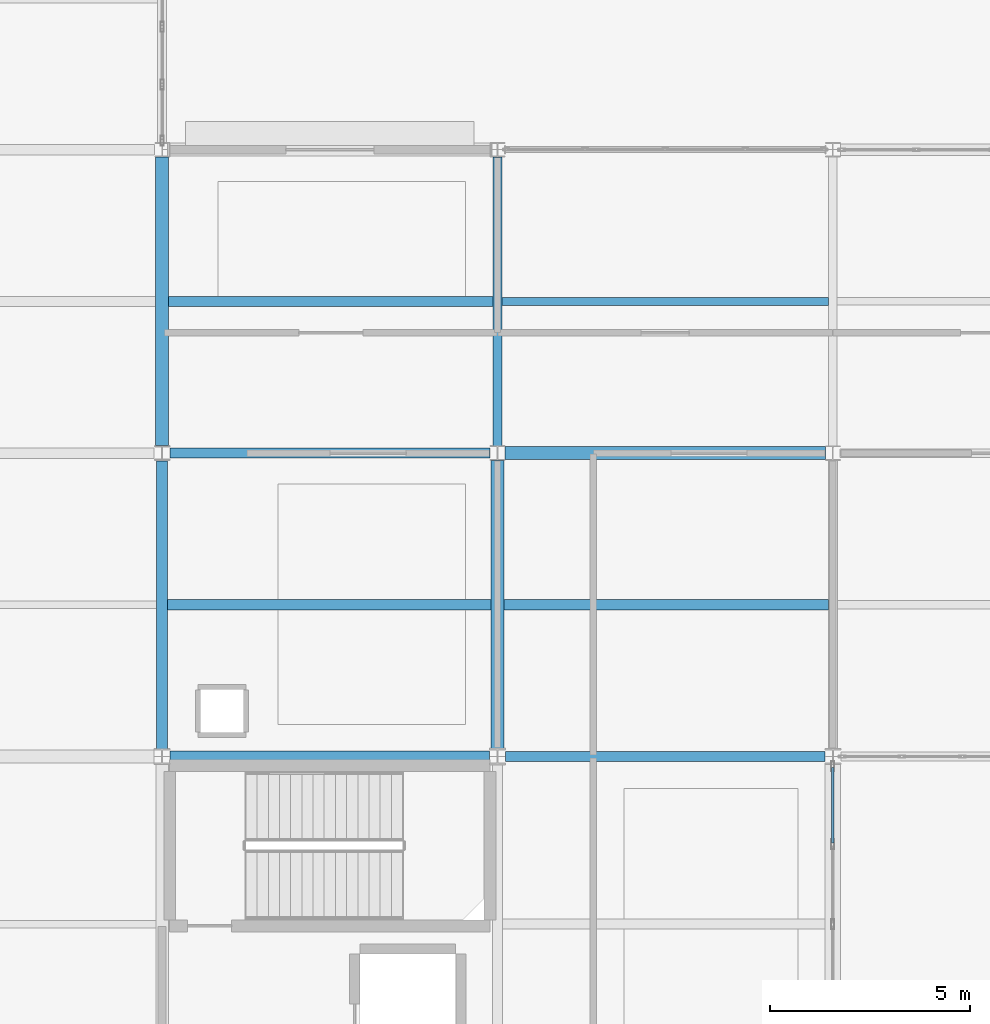
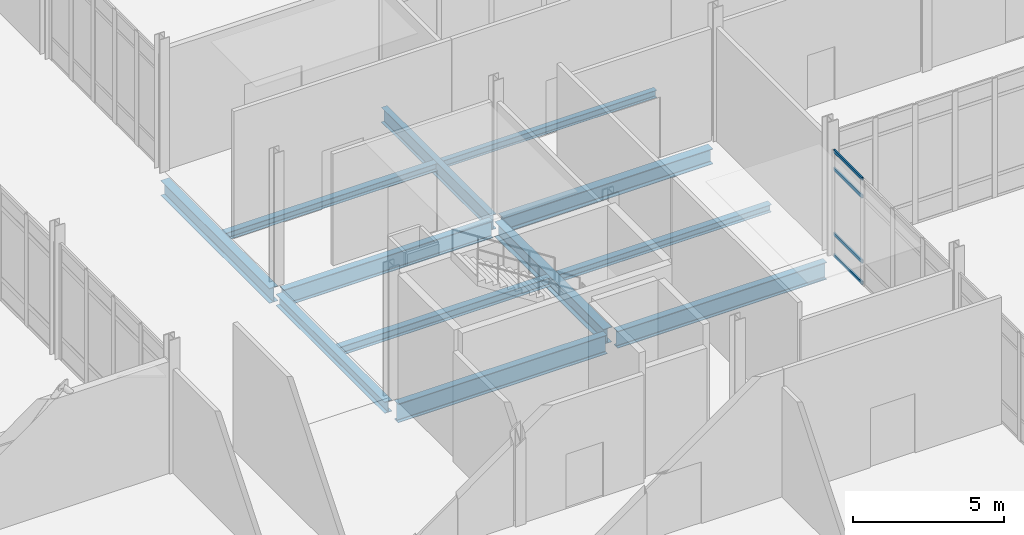
# One storey, part 55 of 229: 12 beams, 4 members, 1 element without a shape of its own.
"""IFC4 building model written with IfcOpenShell, lengths in metres."""

from ifc_helpers import new_model, si_unit, direction, frame, origin, origin_2d, place, context, subcontext, project, spatial, hollow_rectangle, i_section, extrude, material, layer, layer_set, material_profile, profile_set, type_object, element, aggregate, save


model = new_model("IFC4")

# Units and contexts
model_context = context("Model", 3, precision=1e-05, world=origin(), true_north=direction((0.0, 1.0)))
body_context = subcontext(model_context, "Body", "Model", "MODEL_VIEW")
ifc_project = project(units=[si_unit("LENGTHUNIT", "METRE"), si_unit("AREAUNIT", "SQUARE_METRE"), si_unit("VOLUMEUNIT", "CUBIC_METRE"), si_unit("PLANEANGLEUNIT", "RADIAN"), si_unit("MASSUNIT", "GRAM", prefix="KILO")], contexts=[model_context])

# Site, building, storey
site_placement = place(None, origin())
site = spatial("IfcSite", under=ifc_project, at=site_placement, CompositionType="ELEMENT")
building_placement = place(site_placement, origin())
building = spatial("IfcBuilding", under=site, at=building_placement, Name="Calvrana Isthmian Art Gallery", CompositionType="ELEMENT")
storey_placement = place(building_placement, origin())
storey = spatial("IfcBuildingStorey", under=building, at=storey_placement, Name="L00", CompositionType="ELEMENT", Elevation=0.0)

# Beams
ifc_material_1 = material(Name="Steel ASTM A992 Gr 50", Category="steel")
ifc_material_profile_1 = material_profile(ifc_material_1, i_section(OverallWidth=0.279052734375, OverallDepth=0.4619140625, WebThickness=0.0107421875, FlangeThickness=0.017333984375, FilletRadius=0.02001953125, at=origin_2d()), Name="W18X76")
ifc_profile_set_1 = profile_set([ifc_material_profile_1], Name="Steel ASTM A992 Gr 50")
beam_type_1 = type_object("IfcBeamType", Name="BM-G-W18X76", PredefinedType="BEAM", material=ifc_profile_set_1)
beam_1_placement = place(storey_placement, frame((63.60009765625, 46.992919921875, -0.51611328125), z_axis=(0.0, 1.0, 0.0), x_axis=(-1.0, 0.0, 0.0)))
element("IfcBeam", 1, at=beam_1_placement, inside=storey, type_object=beam_type_1, Name="Girder Y L00 09/G-H", PredefinedType="BEAM", context=body_context, shape_type="SweptSolid", body=[
    extrude(i_section(OverallWidth=0.279052734375, OverallDepth=0.4619140625, WebThickness=0.0107421875, FlangeThickness=0.017333984375, FilletRadius=0.02001953125, at=origin_2d()), origin(), (0.0, 0.0, 1.0), 7.214111328125),
])
ifc_material_profile_2 = material_profile(ifc_material_1, i_section(OverallWidth=0.324951171875, OverallDepth=0.612060546875, WebThickness=0.0126953125, FlangeThickness=0.01904296875, FilletRadius=0.02197265625, at=origin_2d()), Name="W24X104")
ifc_profile_set_2 = profile_set([ifc_material_profile_2], Name="Steel ASTM A992 Gr 50")
beam_type_2 = type_object("IfcBeamType", Name="BM-G-W24X104", PredefinedType="BEAM", material=ifc_profile_set_2)
beam_2_placement = place(storey_placement, frame((63.60009765625, 54.593017578125, -0.591064453125), z_axis=(0.0, 1.0, 0.0), x_axis=(-1.0, 0.0, 0.0)))
element("IfcBeam", 2, at=beam_2_placement, inside=storey, type_object=beam_type_2, Name="Girder Y L00 09/H-I", PredefinedType="BEAM", context=body_context, shape_type="SweptSolid", body=[
    extrude(i_section(OverallWidth=0.324951171875, OverallDepth=0.612060546875, WebThickness=0.0126953125, FlangeThickness=0.01904296875, FilletRadius=0.02197265625, at=origin_2d()), origin(), (0.0, 0.0, 1.0), 7.220458984375),
])
beam_3_placement = place(storey_placement, frame((72.0, 47.0029296875, -0.591064453125), z_axis=(0.0, 1.0, 0.0), x_axis=(-1.0, 0.0, 0.0)))
element("IfcBeam", 3, at=beam_3_placement, inside=storey, type_object=beam_type_2, Name="Girder Y L00 10/G-H", PredefinedType="BEAM", context=body_context, shape_type="SweptSolid", body=[
    extrude(i_section(OverallWidth=0.324951171875, OverallDepth=0.612060546875, WebThickness=0.0126953125, FlangeThickness=0.01904296875, FilletRadius=0.02197265625, at=origin_2d()), origin(), (0.0, 0.0, 1.0), 7.213134765625),
])
ifc_material_profile_3 = material_profile(ifc_material_1, i_section(OverallWidth=0.327880859375, OverallDepth=0.6220703125, WebThickness=0.015380859375, FlangeThickness=0.0244140625, FilletRadius=0.02197265625, at=origin_2d()), Name="W24X131")
ifc_profile_set_3 = profile_set([ifc_material_profile_3], Name="Steel ASTM A992 Gr 50")
beam_type_3 = type_object("IfcBeamType", Name="BM-G-W24X131", PredefinedType="BEAM", material=ifc_profile_set_3)
beam_4_placement = place(storey_placement, frame((72.1865234375, 54.39990234375, -0.595947265625), z_axis=(1.0, 0.0, 0.0), x_axis=(0.0, 1.0, 0.0)))
element("IfcBeam", 4, at=beam_4_placement, inside=storey, type_object=beam_type_3, Name="Girder X L00 10-11/H", PredefinedType="BEAM", context=body_context, shape_type="SweptSolid", body=[
    extrude(i_section(OverallWidth=0.327880859375, OverallDepth=0.6220703125, WebThickness=0.015380859375, FlangeThickness=0.0244140625, FilletRadius=0.02197265625, at=origin_2d()), origin(), (0.0, 0.0, 1.0), 8.028076171875),
])
ifc_material_profile_4 = material_profile(ifc_material_1, i_section(OverallWidth=0.22802734375, OverallDepth=0.60693359375, WebThickness=0.01123046875, FlangeThickness=0.017333984375, FilletRadius=0.02197265625, at=origin_2d()), Name="W24X76")
ifc_profile_set_4 = profile_set([ifc_material_profile_4], Name="Steel ASTM A992 Gr 50")
beam_type_4 = type_object("IfcBeamType", Name="BM-G-W24X76", PredefinedType="BEAM", material=ifc_profile_set_4)
beam_5_placement = place(storey_placement, frame((72.0, 54.583984375, -0.58837890625), z_axis=(0.0, 1.0, 0.0), x_axis=(-1.0, 0.0, 0.0)))
element("IfcBeam", 5, at=beam_5_placement, inside=storey, type_object=beam_type_4, Name="Girder Y L00 10/H-I", PredefinedType="BEAM", context=body_context, shape_type="SweptSolid", body=[
    extrude(i_section(OverallWidth=0.22802734375, OverallDepth=0.60693359375, WebThickness=0.01123046875, FlangeThickness=0.017333984375, FilletRadius=0.02197265625, at=origin_2d()), origin(), (0.0, 0.0, 1.0), 7.2294921875),
])
ifc_material_profile_5 = material_profile(ifc_material_1, i_section(OverallWidth=0.257080078125, OverallDepth=0.693115234375, WebThickness=0.014404296875, FlangeThickness=0.023681640625, FilletRadius=0.02392578125, at=origin_2d()), Name="W27X114")
ifc_profile_set_5 = profile_set([ifc_material_profile_5], Name="Steel ASTM A992 Gr 50")
beam_type_5 = type_object("IfcBeamType", Name="BM-G-W27X114", PredefinedType="BEAM", material=ifc_profile_set_5)
beam_6_placement = place(storey_placement, frame((72.201904296875, 46.800048828125, -0.631591796875), z_axis=(1.0, 0.0, 0.0), x_axis=(0.0, 1.0, 0.0)))
element("IfcBeam", 6, at=beam_6_placement, inside=storey, type_object=beam_type_5, Name="Girder X L00 10-11/G", PredefinedType="BEAM", context=body_context, shape_type="SweptSolid", body=[
    extrude(i_section(OverallWidth=0.257080078125, OverallDepth=0.693115234375, WebThickness=0.014404296875, FlangeThickness=0.023681640625, FilletRadius=0.02392578125, at=origin_2d()), origin(), (0.0, 0.0, 1.0), 7.99853515625),
])
beam_7_placement = place(storey_placement, frame((63.799560546875, 54.39990234375, -0.631591796875), z_axis=(1.0, 0.0, 0.0), x_axis=(0.0, 1.0, 0.0)))
element("IfcBeam", 7, at=beam_7_placement, inside=storey, type_object=beam_type_5, Name="Girder X L00 09-10/H", PredefinedType="BEAM", context=body_context, shape_type="SweptSolid", body=[
    extrude(i_section(OverallWidth=0.257080078125, OverallDepth=0.693115234375, WebThickness=0.014404296875, FlangeThickness=0.023681640625, FilletRadius=0.02392578125, at=origin_2d()), origin(), (0.0, 0.0, 1.0), 8.013916015625),
])
ifc_material_profile_6 = material_profile(ifc_material_1, i_section(OverallWidth=0.26708984375, OverallDepth=0.761962890625, WebThickness=0.014404296875, FlangeThickness=0.021484375, FilletRadius=0.02490234375, at=origin_2d()), Name="W30X116")
ifc_profile_set_6 = profile_set([ifc_material_profile_6], Name="Steel ASTM A992 Gr 50")
beam_type_6 = type_object("IfcBeamType", Name="BM-G-W30X116", PredefinedType="BEAM", material=ifc_profile_set_6)
beam_8_placement = place(storey_placement, frame((63.799560546875, 46.800048828125, -0.666015625), z_axis=(1.0, 0.0, 0.0), x_axis=(0.0, 1.0, 0.0)))
element("IfcBeam", 8, at=beam_8_placement, inside=storey, type_object=beam_type_6, Name="Girder X L00 09-10/G", PredefinedType="BEAM", context=body_context, shape_type="SweptSolid", body=[
    extrude(i_section(OverallWidth=0.26708984375, OverallDepth=0.761962890625, WebThickness=0.014404296875, FlangeThickness=0.021484375, FilletRadius=0.02490234375, at=origin_2d()), origin(), (0.0, 0.0, 1.0), 7.99853515625),
])
ifc_material_profile_7 = material_profile(ifc_material_1, i_section(OverallWidth=0.202880859375, OverallDepth=0.302001953125, WebThickness=0.007568359375, FlangeThickness=0.01318359375, FilletRadius=0.01611328125, at=origin_2d()), Name="W12X40")
ifc_profile_set_7 = profile_set([ifc_material_profile_7], Name="Steel ASTM A992 Gr 50")
beam_type_7 = type_object("IfcBeamType", Name="BM-J-W12X40", PredefinedType="JOIST", material=ifc_profile_set_7)
beam_9_placement = place(storey_placement, frame((72.114013671875, 58.199951171875, -0.43603515625), z_axis=(1.0, 0.0, 0.0), x_axis=(0.0, 1.0, 0.0)))
element("IfcBeam", 9, at=beam_9_placement, inside=storey, type_object=beam_type_7, Name="Composite joist L00 bay 09-07", PredefinedType="JOIST", context=body_context, shape_type="SweptSolid", body=[
    extrude(i_section(OverallWidth=0.202880859375, OverallDepth=0.302001953125, WebThickness=0.007568359375, FlangeThickness=0.01318359375, FilletRadius=0.01611328125, at=origin_2d()), origin(), (0.0, 0.0, 1.0), 8.181396484375),
])
ifc_material_profile_8 = material_profile(ifc_material_1, i_section(OverallWidth=0.25390625, OverallDepth=0.306884765625, WebThickness=0.0087890625, FlangeThickness=0.0146484375, FilletRadius=0.01611328125, at=origin_2d()), Name="W12X53")
ifc_profile_set_8 = profile_set([ifc_material_profile_8], Name="Steel ASTM A992 Gr 50")
beam_type_8 = type_object("IfcBeamType", Name="BM-J-W12X53", PredefinedType="JOIST", material=ifc_profile_set_8)
beam_10_placement = place(storey_placement, frame((63.762451171875, 58.199951171875, -0.4384765625), z_axis=(1.0, 0.0, 0.0), x_axis=(0.0, 1.0, 0.0)))
element("IfcBeam", 10, at=beam_10_placement, inside=storey, type_object=beam_type_8, Name="Composite joist L00 bay 08-07", PredefinedType="JOIST", context=body_context, shape_type="SweptSolid", body=[
    extrude(i_section(OverallWidth=0.25390625, OverallDepth=0.306884765625, WebThickness=0.0087890625, FlangeThickness=0.0146484375, FilletRadius=0.01611328125, at=origin_2d()), origin(), (0.0, 0.0, 1.0), 8.12353515625),
])
beam_11_placement = place(storey_placement, frame((72.16259765625, 50.60009765625, -0.4384765625), z_axis=(1.0, 0.0, 0.0), x_axis=(0.0, 1.0, 0.0)))
element("IfcBeam", 11, at=beam_11_placement, inside=storey, type_object=beam_type_8, Name="Composite joist L00 bay 09-06", PredefinedType="JOIST", context=body_context, shape_type="SweptSolid", body=[
    extrude(i_section(OverallWidth=0.25390625, OverallDepth=0.306884765625, WebThickness=0.0087890625, FlangeThickness=0.0146484375, FilletRadius=0.01611328125, at=origin_2d()), origin(), (0.0, 0.0, 1.0), 8.123291015625),
])
ifc_material_profile_9 = material_profile(ifc_material_1, i_section(OverallWidth=0.25390625, OverallDepth=0.35302734375, WebThickness=0.009521484375, FlangeThickness=0.016357421875, FilletRadius=0.01806640625, at=origin_2d()), Name="W14X61")
ifc_profile_set_9 = profile_set([ifc_material_profile_9], Name="Steel ASTM A992 Gr 50")
beam_type_9 = type_object("IfcBeamType", Name="BM-J-W14X61", PredefinedType="JOIST", material=ifc_profile_set_9)
beam_12_placement = place(storey_placement, frame((63.739501953125, 50.60009765625, -0.46142578125), z_axis=(1.0, 0.0, 0.0), x_axis=(0.0, 1.0, 0.0)))
element("IfcBeam", 12, at=beam_12_placement, inside=storey, type_object=beam_type_9, Name="Composite joist L00 bay 08-06", PredefinedType="JOIST", context=body_context, shape_type="SweptSolid", body=[
    extrude(i_section(OverallWidth=0.25390625, OverallDepth=0.35302734375, WebThickness=0.009521484375, FlangeThickness=0.016357421875, FilletRadius=0.01806640625, at=origin_2d()), origin(), (0.0, 0.0, 1.0), 8.097900390625),
])

# Curtain wall, members
ifc_material_2 = material(Name="Anodized bronze aluminium 6063-T6", Category="aluminium")
ifc_layer = layer(ifc_material_2, 0.179931640625, Name="Anodized bronze aluminium 6063-T6")
ifc_layer_set = layer_set([ifc_layer], Name="Anodized bronze aluminium 6063-T6")
curtain_wall_type = type_object("IfcCurtainWallType", Name="CW-STICK-080X43", PredefinedType="NOTDEFINED", material=ifc_layer_set)
curtain_wall_placement = place(storey_placement, origin())
curtain_wall = element("IfcCurtainWall", 13, at=curtain_wall_placement, inside=storey, type_object=curtain_wall_type, Name="Curtain wall CW-071", PredefinedType="NOTDEFINED")
ifc_material_profile_10 = material_profile(ifc_material_2, hollow_rectangle(XDim=0.06005859375, YDim=0.1298828125, WallThickness=0.00390625, at=origin_2d()), Name="CWT60X130")
ifc_profile_set_10 = profile_set([ifc_material_profile_10], Name="Anodized bronze aluminium 6063-T6")
member_type = type_object("IfcMemberType", Name="CWT-CWT60X130", PredefinedType="USERDEFINED", material=ifc_profile_set_10)
member_1_placement = place(storey_placement, frame((80.39990234375, 46.5205078125, 0.030029296875), z_axis=(0.0, -1.0, 0.0), x_axis=(1.0, 0.0, 0.0)))
member_1 = element("IfcMember", 14, at=member_1_placement, type_object=member_type, Name="CW-071 transom 1.1", ObjectType="TRANSOM", PredefinedType="USERDEFINED", context=body_context, shape_type="SweptSolid", body=[
    extrude(hollow_rectangle(XDim=0.06005859375, YDim=0.1298828125, WallThickness=0.00390625, at=origin_2d()), origin(), (0.0, 0.0, 1.0), 1.883544921875),
])
member_2_placement = place(storey_placement, frame((80.39990234375, 46.5205078125, 0.89990234375), z_axis=(0.0, -1.0, 0.0), x_axis=(1.0, 0.0, 0.0)))
member_2 = element("IfcMember", 15, at=member_2_placement, type_object=member_type, Name="CW-071 transom 1.2", ObjectType="TRANSOM", PredefinedType="USERDEFINED", context=body_context, shape_type="SweptSolid", body=[
    extrude(hollow_rectangle(XDim=0.06005859375, YDim=0.1298828125, WallThickness=0.00390625, at=origin_2d()), origin(), (0.0, 0.0, 1.0), 1.883544921875),
])
member_3_placement = place(storey_placement, frame((80.39990234375, 46.5205078125, 3.533935546875), z_axis=(0.0, -1.0, 0.0), x_axis=(1.0, 0.0, 0.0)))
member_3 = element("IfcMember", 16, at=member_3_placement, type_object=member_type, Name="CW-071 transom 1.3", ObjectType="TRANSOM", PredefinedType="USERDEFINED", context=body_context, shape_type="SweptSolid", body=[
    extrude(hollow_rectangle(XDim=0.06005859375, YDim=0.1298828125, WallThickness=0.00390625, at=origin_2d()), origin(), (0.0, 0.0, 1.0), 1.883544921875),
])
member_4_placement = place(storey_placement, frame((80.39990234375, 46.5205078125, 4.25390625), z_axis=(0.0, -1.0, 0.0), x_axis=(1.0, 0.0, 0.0)))
member_4 = element("IfcMember", 17, at=member_4_placement, type_object=member_type, Name="CW-071 transom 1.4", ObjectType="TRANSOM", PredefinedType="USERDEFINED", context=body_context, shape_type="SweptSolid", body=[
    extrude(hollow_rectangle(XDim=0.06005859375, YDim=0.1298828125, WallThickness=0.00390625, at=origin_2d()), origin(), (0.0, 0.0, 1.0), 1.883544921875),
])
aggregate(curtain_wall, [member_1, member_2, member_3, member_4])

save(model, "model.ifc")
